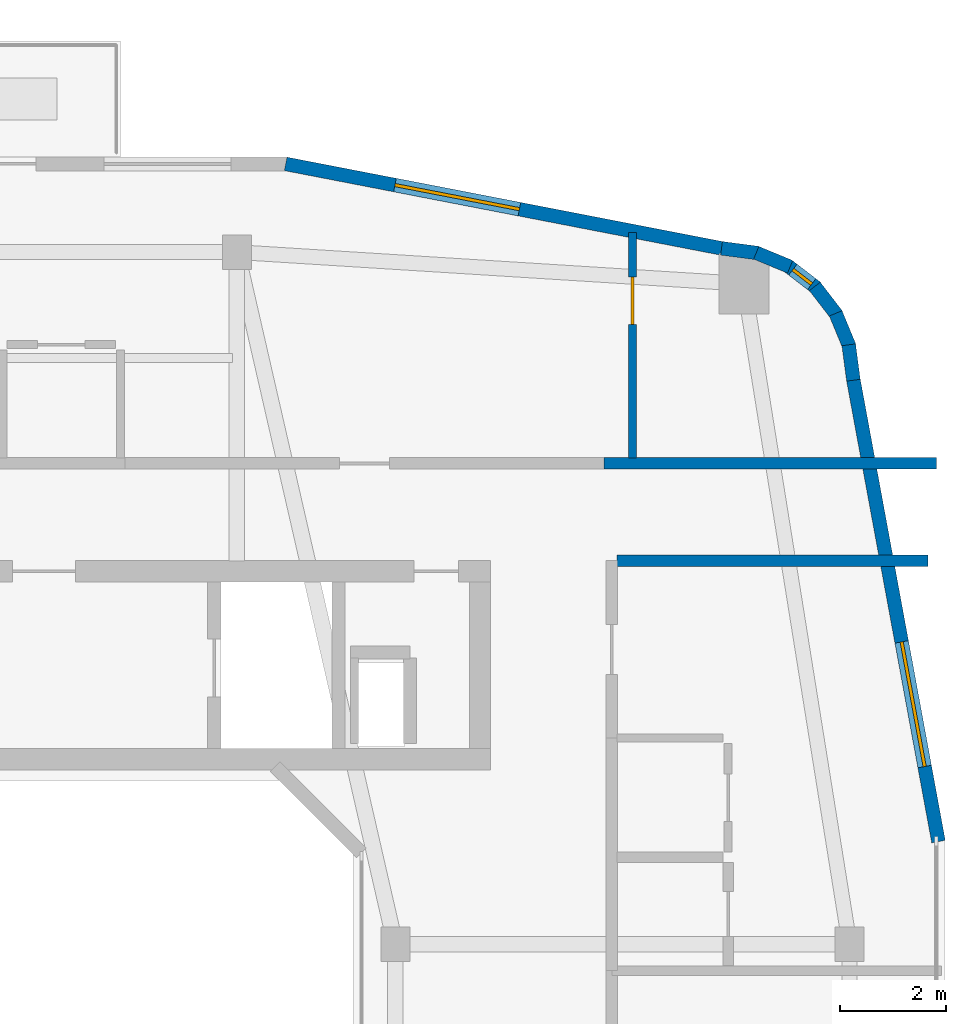
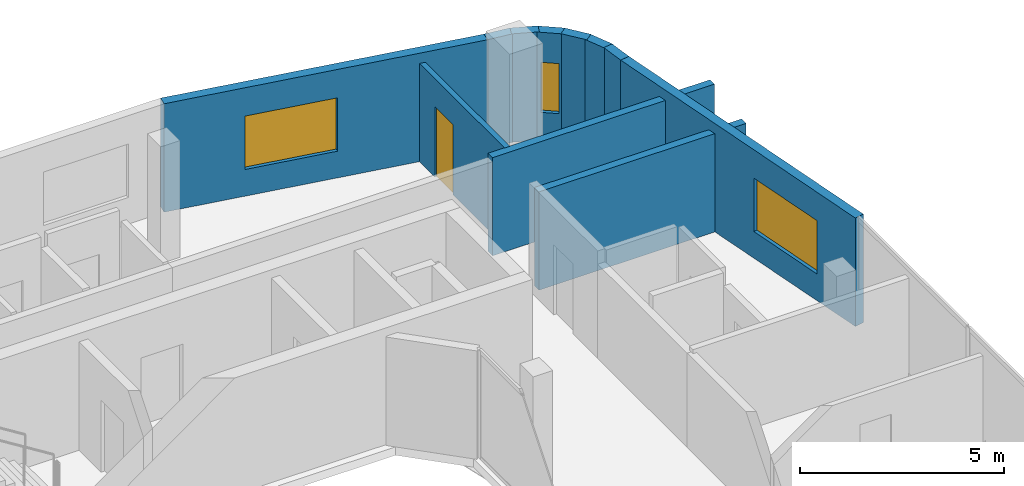
# One storey, part 16 of 22: 11 walls, 3 windows, 1 door, 4 openings.
"""IFC4 building model written with IfcOpenShell, lengths in metres."""

from ifc_helpers import new_model, si_unit, derived_unit, direction, frame, frame_2d, origin, place, context, subcontext, project, spatial, rectangle, extrude, material, layer, layer_set, type_object, element, fill, save


model = new_model("IFC4")

# Units and contexts
model_context = context("Model", 3, precision=1e-05, world=origin(), true_north=direction((0.0, 1.0)))
body_context = subcontext(model_context, "Body", "Model", "MODEL_VIEW")
ifc_project = project(units=[si_unit("LENGTHUNIT", "METRE"), si_unit("AREAUNIT", "SQUARE_METRE"), si_unit("VOLUMEUNIT", "CUBIC_METRE"), si_unit("PLANEANGLEUNIT", "RADIAN"), si_unit("MASSUNIT", "GRAM", prefix="KILO"), derived_unit("THERMALTRANSMITTANCEUNIT", [(si_unit("POWERUNIT", "WATT"), 1), (si_unit("LENGTHUNIT", "METRE"), -2), (si_unit("THERMODYNAMICTEMPERATUREUNIT", "KELVIN"), -1)])], contexts=[model_context])

# Site, building, storey
site_placement = place(None, origin())
site = spatial("IfcSite", under=ifc_project, at=site_placement, CompositionType="ELEMENT")
building_placement = place(site_placement, origin())
building = spatial("IfcBuilding", under=site, at=building_placement, Name="Kivonza Crest Hotel", CompositionType="ELEMENT")
storey_placement = place(building_placement, frame((0.0, 0.0, 112.5)))
storey = spatial("IfcBuildingStorey", under=building, at=storey_placement, Name="L30", CompositionType="ELEMENT", Elevation=112.5)

# Walls
ifc_material_1 = material(Name="Autoclaved aerated concrete blockwork", Category="masonry")
ifc_layer_1 = layer(ifc_material_1, 0.219970703125)
ifc_layer_set_1 = layer_set([ifc_layer_1], Name="Autoclaved aerated concrete blockwork")
wall_type_1 = type_object("IfcWallType", Name="WL-ACOU-220", PredefinedType="SOLIDWALL", material=ifc_layer_set_1)
wall_1_placement = place(storey_placement, frame((88.35009765625, 37.60009765625, 0.0), z_axis=(0.0, 0.0, 1.0), x_axis=(1.0, 0.0, 0.0)))
element("IfcWall", 1, at=wall_1_placement, inside=storey, type_object=wall_type_1, Name="L30 interior partition WA-L30-A02-RCORR", PredefinedType="SOLIDWALL", context=body_context, shape_type="SweptSolid", body=[
    extrude(rectangle(XDim=6.289794921875, YDim=0.219970703125, at=frame_2d((3.14501953125, 0.0))), origin(), (0.0, 0.0, 1.0), 2.945068359375),
])
wall_2_placement = place(storey_placement, frame((88.60009765625, 35.760009765625, 0.0), z_axis=(0.0, 0.0, 1.0), x_axis=(1.0, 0.0, 0.0)))
element("IfcWall", 2, at=wall_2_placement, inside=storey, type_object=wall_type_1, Name="L30 interior partition WA-L30-T2E-ENDN", PredefinedType="SOLIDWALL", context=body_context, shape_type="SweptSolid", body=[
    extrude(rectangle(XDim=5.8798828125, YDim=0.219970703125, at=frame_2d((2.93994140625, 0.0))), origin(), (0.0, 0.0, 1.0), 2.945068359375),
])

# Wall, opening, window
ifc_material_2 = material(Name="Precast concrete C40/50", Category="concrete")
ifc_layer_2 = layer(ifc_material_2, 0.260009765625)
ifc_layer_set_2 = layer_set([ifc_layer_2], Name="Precast concrete C40/50")
wall_type_2 = type_object("IfcWallType", Name="WL-EXT-260", PredefinedType="STANDARD", material=ifc_layer_set_2)
wall_3_placement = place(storey_placement, frame((94.681884765625, 30.44189453125, 0.0), z_axis=(0.0, 0.0, 1.0), x_axis=(-0.181209963057, 0.983444431215, 0.0)))
wall_3 = element("IfcWall", 3, at=wall_3_placement, inside=storey, type_object=wall_type_2, Name="L30 T2 exterior insulated wall 18", PredefinedType="STANDARD", context=body_context, shape_type="SweptSolid", body=[
    extrude(rectangle(XDim=8.889404296875, YDim=0.260009765625, at=frame_2d((4.44482421875, 0.0))), origin(), (0.0, 0.0, 1.0), 3.25),
])
opening_1_placement = place(wall_3_placement, frame((1.444091796875, 0.0, 0.800048828125)))
opening_1 = element("IfcOpeningElement", 4, at=opening_1_placement, cuts=wall_3, Name="Opening WN-05", PredefinedType="OPENING", context=body_context, shape_type="SweptSolid", body=[
    extrude(rectangle(XDim=2.39990234375, YDim=1.60009765625, at=frame_2d((1.199951171875, 0.800048828125))), frame((0.0, 0.14013671875, 0.0), z_axis=(0.0, -1.0, 0.0), x_axis=(1.0, 0.0, 0.0)), (0.0, 0.0, 1.0), 0.280029296875),
])
ifc_material_3 = material(Name="Thermally broken bronze aluminium and low-E double glazing", Category="aluminium")
window_type_1 = type_object("IfcWindowType", Name="WN-240x160", PartitioningType="TRIPLE_PANEL_VERTICAL", PredefinedType="WINDOW", material=ifc_material_3)
window_1_placement = place(opening_1_placement, origin())
window_1 = element("IfcWindow", 5, at=window_1_placement, inside=storey, type_object=window_type_1, Name="L30 T2 facade window 18", OverallHeight=1.60009765625, OverallWidth=2.39990234375, PartitioningType="SINGLE_PANEL", PredefinedType="WINDOW", context=body_context, shape_type="SweptSolid", body=[
    extrude(rectangle(XDim=2.39990234375, YDim=1.60009765625, at=frame_2d((1.199951171875, 0.800048828125))), frame((0.0, 0.030029296875, 0.0), z_axis=(0.0, -1.0, 0.0), x_axis=(1.0, 0.0, 0.0)), (0.0, 0.0, 1.0), 0.06005859375),
])
fill(opening_1, window_1)

# Walls
wall_4_placement = place(storey_placement, frame((93.072021484375, 39.175048828125, 0.0), z_axis=(0.0, 0.0, 1.0), x_axis=(-0.131667498923, 0.991293937098, 0.0)))
element("IfcWall", 6, at=wall_4_placement, inside=storey, type_object=wall_type_2, Name="L30 T2 exterior insulated wall 19", PredefinedType="STANDARD", context=body_context, shape_type="SweptSolid", body=[
    extrude(rectangle(XDim=0.6767578125, YDim=0.260009765625, at=frame_2d((0.33837890625, 0.0))), origin(), (0.0, 0.0, 1.0), 3.25),
])
wall_5_placement = place(storey_placement, frame((93.0009765625, 39.800048828125, 0.0), z_axis=(0.0, 0.0, 1.0), x_axis=(-0.381988976935, 0.924166879681, 0.0)))
element("IfcWall", 7, at=wall_5_placement, inside=storey, type_object=wall_type_2, Name="L30 T2 exterior insulated wall 20", PredefinedType="STANDARD", context=body_context, shape_type="SweptSolid", body=[
    extrude(rectangle(XDim=0.693359375, YDim=0.260009765625, at=frame_2d((0.3466796875, 0.0))), origin(), (0.0, 0.0, 1.0), 3.25),
])
wall_6_placement = place(storey_placement, frame((92.763916015625, 40.40087890625, 0.0), z_axis=(0.0, 0.0, 1.0), x_axis=(-0.609472651958, 0.792807092876, 0.0)))
element("IfcWall", 8, at=wall_6_placement, inside=storey, type_object=wall_type_2, Name="L30 T2 exterior insulated wall 21", PredefinedType="STANDARD", context=body_context, shape_type="SweptSolid", body=[
    extrude(rectangle(XDim=0.69384765625, YDim=0.260009765625, at=frame_2d((0.346923828125, 0.0))), origin(), (0.0, 0.0, 1.0), 3.25),
])

# Wall, opening, window
wall_7_placement = place(storey_placement, frame((92.37890625, 40.919921875, 0.0), z_axis=(0.0, 0.0, 1.0), x_axis=(-0.792506234191, 0.609863811657, 0.0)))
wall_7 = element("IfcWall", 9, at=wall_7_placement, inside=storey, type_object=wall_type_2, Name="L30 T2 exterior insulated wall 22", PredefinedType="STANDARD", context=body_context, shape_type="SweptSolid", body=[
    extrude(rectangle(XDim=0.69384765625, YDim=0.260009765625, at=frame_2d((0.346923828125, 0.0))), origin(), (0.0, 0.0, 1.0), 3.25),
])
opening_2_placement = place(wall_7_placement, frame((0.1220703125, 0.0, 0.85009765625)))
opening_2 = element("IfcOpeningElement", 10, at=opening_2_placement, cuts=wall_7, Name="Opening WN-11", PredefinedType="OPENING", context=body_context, shape_type="SweptSolid", body=[
    extrude(rectangle(XDim=0.449951171875, YDim=1.5, at=frame_2d((0.22509765625, 0.75))), frame((0.0, 0.14013671875, 0.0), z_axis=(0.0, -1.0, 0.0), x_axis=(1.0, 0.0, 0.0)), (0.0, 0.0, 1.0), 0.280029296875),
])
window_type_2 = type_object("IfcWindowType", Name="WN-045x150", PartitioningType="SINGLE_PANEL", PredefinedType="WINDOW", material=ifc_material_3)
window_2_placement = place(opening_2_placement, origin())
window_2 = element("IfcWindow", 11, at=window_2_placement, inside=storey, type_object=window_type_2, Name="L30 corner vision window 2", OverallHeight=1.5, OverallWidth=0.449951171875, PartitioningType="SINGLE_PANEL", PredefinedType="WINDOW", context=body_context, shape_type="SweptSolid", body=[
    extrude(rectangle(XDim=0.449951171875, YDim=1.5, at=frame_2d((0.22509765625, 0.75))), frame((0.0, 0.030029296875, 0.0), z_axis=(0.0, -1.0, 0.0), x_axis=(1.0, 0.0, 0.0)), (0.0, 0.0, 1.0), 0.06005859375),
])
fill(opening_2, window_2)

# Walls
wall_8_placement = place(storey_placement, frame((91.873046875, 41.322021484375, 0.0), z_axis=(0.0, 0.0, 1.0), x_axis=(-0.92421822618, 0.381864727877, 0.0)))
element("IfcWall", 12, at=wall_8_placement, inside=storey, type_object=wall_type_2, Name="L30 T2 exterior insulated wall 23", PredefinedType="STANDARD", context=body_context, shape_type="SweptSolid", body=[
    extrude(rectangle(XDim=0.693603515625, YDim=0.260009765625, at=frame_2d((0.3466796875, 0.0))), origin(), (0.0, 0.0, 1.0), 3.25),
])
wall_9_placement = place(storey_placement, frame((91.281005859375, 41.5791015625, 0.0), z_axis=(0.0, 0.0, 1.0), x_axis=(-0.991433279471, 0.130614135366, 0.0)))
element("IfcWall", 13, at=wall_9_placement, inside=storey, type_object=wall_type_2, Name="L30 T2 exterior insulated wall 24", PredefinedType="STANDARD", context=body_context, shape_type="SweptSolid", body=[
    extrude(rectangle(XDim=0.712158203125, YDim=0.260009765625, at=frame_2d((0.35595703125, 0.0))), origin(), (0.0, 0.0, 1.0), 3.25),
])

# Wall, opening, window
wall_10_placement = place(storey_placement, frame((90.5830078125, 41.669921875, 0.0), z_axis=(0.0, 0.0, 1.0), x_axis=(-0.98174070399, 0.190224052445, 0.0)))
wall_10 = element("IfcWall", 14, at=wall_10_placement, inside=storey, type_object=wall_type_2, Name="L30 T2 exterior insulated wall 25", PredefinedType="STANDARD", context=body_context, shape_type="SweptSolid", body=[
    extrude(rectangle(XDim=8.41162109375, YDim=0.260009765625, at=frame_2d((4.205810546875, 0.0))), origin(), (0.0, 0.0, 1.0), 3.25),
])
opening_3_placement = place(wall_10_placement, frame((3.905029296875, 0.0, 0.800048828125)))
opening_3 = element("IfcOpeningElement", 15, at=opening_3_placement, cuts=wall_10, Name="Opening WN-05", PredefinedType="OPENING", context=body_context, shape_type="SweptSolid", body=[
    extrude(rectangle(XDim=2.39990234375, YDim=1.60009765625, at=frame_2d((1.199951171875, 0.800048828125))), frame((0.0, 0.14013671875, 0.0), z_axis=(0.0, -1.0, 0.0), x_axis=(1.0, 0.0, 0.0)), (0.0, 0.0, 1.0), 0.280029296875),
])
window_3_placement = place(opening_3_placement, origin())
window_3 = element("IfcWindow", 16, at=window_3_placement, inside=storey, type_object=window_type_1, Name="L30 T2 facade window 25", OverallHeight=1.60009765625, OverallWidth=2.39990234375, PartitioningType="SINGLE_PANEL", PredefinedType="WINDOW", context=body_context, shape_type="SweptSolid", body=[
    extrude(rectangle(XDim=2.39990234375, YDim=1.60009765625, at=frame_2d((1.199951171875, 0.800048828125))), frame((0.0, 0.030029296875, 0.0), z_axis=(0.0, -1.0, 0.0), x_axis=(1.0, 0.0, 0.0)), (0.0, 0.0, 1.0), 0.06005859375),
])
fill(opening_3, window_3)

# Wall, opening, door
ifc_material_4 = material(Name="Twin-stud acoustic gypsum board partition", Category="gypsum")
ifc_layer_3 = layer(ifc_material_4, 0.14990234375)
ifc_layer_set_3 = layer_set([ifc_layer_3], Name="Twin-stud acoustic gypsum board partition")
wall_type_3 = type_object("IfcWallType", Name="WL-PART-150", PredefinedType="PARTITIONING", material=ifc_layer_set_3)
wall_11_placement = place(storey_placement, frame((88.889892578125, 37.699951171875, 0.0), z_axis=(0.0, 0.0, 1.0), x_axis=(0.0, 1.0, 0.0)))
wall_11 = element("IfcWall", 17, at=wall_11_placement, inside=storey, type_object=wall_type_3, Name="L30 interior partition WP-L30-A02-BDW2", PredefinedType="PARTITIONING", context=body_context, shape_type="SweptSolid", body=[
    extrude(rectangle(XDim=4.27001953125, YDim=0.14990234375, at=frame_2d((2.135009765625, 0.0))), origin(), (0.0, 0.0, 1.0), 2.945068359375),
])
opening_4_placement = place(wall_11_placement, frame((2.530029296875, 0.0, 0.0)))
opening_4 = element("IfcOpeningElement", 18, at=opening_4_placement, cuts=wall_11, Name="Opening DI-90", PredefinedType="OPENING", context=body_context, shape_type="SweptSolid", body=[
    extrude(rectangle(XDim=0.89990234375, YDim=2.10009765625, at=frame_2d((0.449951171875, 1.050048828125))), frame((0.0, 0.0849609375, 0.0), z_axis=(0.0, -1.0, 0.0), x_axis=(1.0, 0.0, 0.0)), (0.0, 0.0, 1.0), 0.169921875),
])
ifc_material_5 = material(Name="Hardwood timber oak", Category="wood")
door_type = type_object("IfcDoorType", Name="DR-INT-900", OperationType="NOTDEFINED", PredefinedType="DOOR", material=ifc_material_5)
door_placement = place(opening_4_placement, origin())
door = element("IfcDoor", 19, at=door_placement, inside=storey, type_object=door_type, Name="L30 A02 bedroom 2 door", OperationType="SINGLE_SWING_RIGHT", OverallHeight=2.10009765625, OverallWidth=0.89990234375, PredefinedType="DOOR", context=body_context, shape_type="SweptSolid", body=[
    extrude(rectangle(XDim=0.89990234375, YDim=2.10009765625, at=frame_2d((0.449951171875, 1.050048828125))), frame((0.0, 0.02490234375, 0.0), z_axis=(0.0, -1.0, 0.0), x_axis=(1.0, 0.0, 0.0)), (0.0, 0.0, 1.0), 0.050048828125),
])
fill(opening_4, door)

save(model, "model.ifc")
